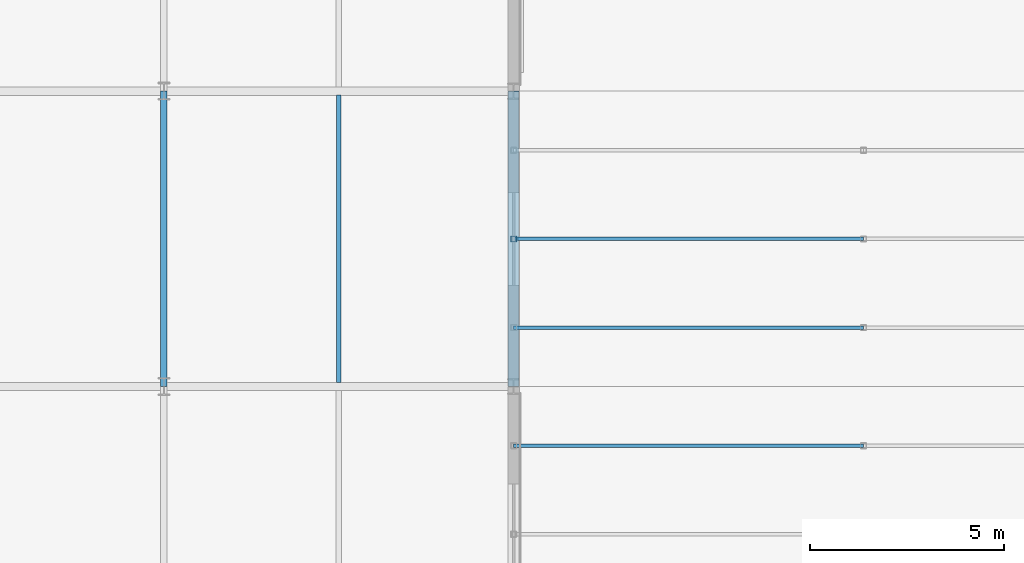
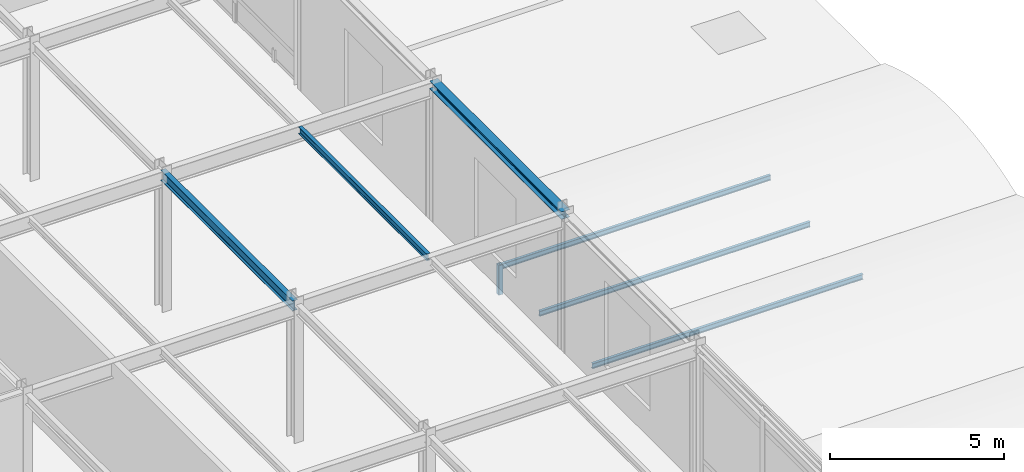
# One storey, part 65 of 113: 4 members, 3 beams.
"""IFC4 building model written with IfcOpenShell, lengths in metres."""

from ifc_helpers import new_model, si_unit, direction, frame, origin, origin_2d, place, context, subcontext, project, spatial, hollow_rectangle, i_section, extrude, material, material_profile, profile_set, type_object, element, save


model = new_model("IFC4")

# Units and contexts
model_context = context("Model", 3, precision=1e-05, world=origin(), true_north=direction((0.0, 1.0)))
body_context = subcontext(model_context, "Body", "Model", "MODEL_VIEW")
ifc_project = project(units=[si_unit("LENGTHUNIT", "METRE"), si_unit("AREAUNIT", "SQUARE_METRE"), si_unit("VOLUMEUNIT", "CUBIC_METRE"), si_unit("PLANEANGLEUNIT", "RADIAN"), si_unit("MASSUNIT", "GRAM", prefix="KILO")], contexts=[model_context])

# Site, building, storey
site_placement = place(None, origin())
site = spatial("IfcSite", under=ifc_project, at=site_placement, CompositionType="ELEMENT")
building_placement = place(site_placement, origin())
building = spatial("IfcBuilding", under=site, at=building_placement, Name="Shalkamar Park Central Library", CompositionType="ELEMENT")
storey_placement = place(building_placement, frame((0.0, 0.0, 5.39990234375)))
storey = spatial("IfcBuildingStorey", under=building, at=storey_placement, Name="L02", CompositionType="ELEMENT", Elevation=5.39990234375)

# Beam
ifc_material = material(Name="Steel S355", Category="steel")
ifc_material_profile_1 = material_profile(ifc_material, i_section(OverallWidth=0.1201171875, OverallDepth=0.239990234375, WebThickness=0.006103515625, FlangeThickness=0.009765625, FilletRadius=0.014892578125, at=origin_2d()), Name="IPE 240")
ifc_profile_set_1 = profile_set([ifc_material_profile_1], Name="Steel S355")
beam_type_1 = type_object("IfcBeamType", Name="Composite Floor Joist IPE240", PredefinedType="JOIST", material=ifc_profile_set_1)
beam_1_placement = place(storey_placement, frame((268.5, 300.903076171875, 4.739990234375), z_axis=(0.0, 1.0, 0.0), x_axis=(-1.0, 0.0, 0.0)))
element("IfcBeam", 1, at=beam_1_placement, inside=storey, type_object=beam_type_1, Name="Composite Joist 19/J-1 (L02)", PredefinedType="JOIST", context=body_context, shape_type="SweptSolid", body=[
    extrude(i_section(OverallWidth=0.1201171875, OverallDepth=0.239990234375, WebThickness=0.006103515625, FlangeThickness=0.009765625, FilletRadius=0.014892578125, at=origin_2d()), origin(), (0.0, 0.0, 1.0), 7.39404296875),
])

# Member
ifc_material_profile_2 = material_profile(ifc_material, hollow_rectangle(XDim=0.14990234375, YDim=0.14990234375, WallThickness=0.008056640625, InnerFilletRadius=0.008056640625, OuterFilletRadius=0.011962890625, at=origin_2d()), Name="SHS 150x150x8")
ifc_profile_set_2 = profile_set([ifc_material_profile_2], Name="Steel S355")
member_type_1 = type_object("IfcMemberType", Name="Diagonal Brace SHS150", PredefinedType="BRACE", material=ifc_profile_set_2)
member_placement = place(storey_placement, frame((273.0, 304.60009765625, -0.35986328125), z_axis=(0.0, 0.0, 1.0), x_axis=(1.0, 0.0, 0.0)))
element("IfcMember", 2, at=member_placement, inside=storey, type_object=member_type_1, Name="Vault Arch Post BV-L01-E7-20.2", PredefinedType="BRACE", context=body_context, shape_type="SweptSolid", body=[
    extrude(hollow_rectangle(XDim=0.14990234375, YDim=0.14990234375, WallThickness=0.008056640625, InnerFilletRadius=0.008056640625, OuterFilletRadius=0.011962890625, at=origin_2d()), origin(), (0.0, 0.0, 1.0), 1.0400390625),
])

# Beams
ifc_material_profile_3 = material_profile(ifc_material, i_section(OverallWidth=0.280029296875, OverallDepth=0.27001953125, WebThickness=0.008056640625, FlangeThickness=0.012939453125, FilletRadius=0.02392578125, at=origin_2d()), Name="HEA 280")
ifc_profile_set_3 = profile_set([ifc_material_profile_3], Name="Steel S355")
beam_type_2 = type_object("IfcBeamType", Name="Perimeter Spandrel Beam HEA280", PredefinedType="SPANDREL", material=ifc_profile_set_3)
beam_2_placement = place(storey_placement, frame((273.0, 300.800048828125, 4.72509765625), z_axis=(0.0, 1.0, 0.0), x_axis=(-1.0, 0.0, 0.0)))
element("IfcBeam", 3, at=beam_2_placement, inside=storey, type_object=beam_type_2, Name="Beam 20:J-K (L02)", PredefinedType="SPANDREL", context=body_context, shape_type="SweptSolid", body=[
    extrude(i_section(OverallWidth=0.280029296875, OverallDepth=0.27001953125, WebThickness=0.008056640625, FlangeThickness=0.012939453125, FilletRadius=0.02392578125, at=origin_2d()), origin(), (0.0, 0.0, 1.0), 7.599853515625),
])
ifc_material_profile_4 = material_profile(ifc_material, i_section(OverallWidth=0.169921875, OverallDepth=0.360107421875, WebThickness=0.008056640625, FlangeThickness=0.0126953125, FilletRadius=0.01806640625, at=origin_2d()), Name="IPE 360")
ifc_profile_set_4 = profile_set([ifc_material_profile_4], Name="Steel S355")
beam_type_3 = type_object("IfcBeamType", Name="Primary Girder IPE360", PredefinedType="BEAM", material=ifc_profile_set_4)
beam_3_placement = place(storey_placement, frame((264.0, 300.800048828125, 4.68017578125), z_axis=(0.0, 1.0, 0.0), x_axis=(-1.0, 0.0, 0.0)))
element("IfcBeam", 4, at=beam_3_placement, inside=storey, type_object=beam_type_3, Name="Beam 19:J-K (L02)", PredefinedType="BEAM", context=body_context, shape_type="SweptSolid", body=[
    extrude(i_section(OverallWidth=0.169921875, OverallDepth=0.360107421875, WebThickness=0.008056640625, FlangeThickness=0.0126953125, FilletRadius=0.01806640625, at=origin_2d()), origin(), (0.0, 0.0, 1.0), 7.599853515625),
])

# Members
ifc_material_profile_5 = material_profile(ifc_material, i_section(OverallWidth=0.091064453125, OverallDepth=0.179931640625, WebThickness=0.00537109375, FlangeThickness=0.008056640625, FilletRadius=0.009033203125, at=origin_2d()), Name="IPE 180")
ifc_profile_set_5 = profile_set([ifc_material_profile_5], Name="Steel S355")
member_type_2 = type_object("IfcMemberType", Name="Roof Purlin IPE180", PredefinedType="PURLIN", material=ifc_profile_set_5)
for number, where, z_axis, x_axis, name in (
    (5, (273.0, 299.280029296875, 0.330810546875), (1.0, 0.0, 0.0), (0.0, 1.0, 0.0), "Barrel Roof Purlin BV-L01-E6-3.20"),
    (6, (273.0, 302.320068359375, 0.330810546875), (1.0, 0.0, 0.0), (0.0, 1.0, 0.0), "Barrel Roof Purlin BV-L01-E7-1.20"),
    (7, (273.0, 304.60009765625, 0.590087890625), (1.0, 0.0, 0.0), (0.0, 1.0, 0.0), "Barrel Roof Purlin BV-L01-E7-2.20"),
):
    element("IfcMember", number, at=place(storey_placement, frame(where, z_axis=z_axis, x_axis=x_axis)), inside=storey, type_object=member_type_2, Name=name, PredefinedType="PURLIN", context=body_context, shape_type="SweptSolid", body=[
        extrude(i_section(OverallWidth=0.091064453125, OverallDepth=0.179931640625, WebThickness=0.00537109375, FlangeThickness=0.008056640625, FilletRadius=0.009033203125, at=origin_2d()), origin(), (0.0, 0.0, 1.0), 9.0),
    ])

save(model, "model.ifc")
